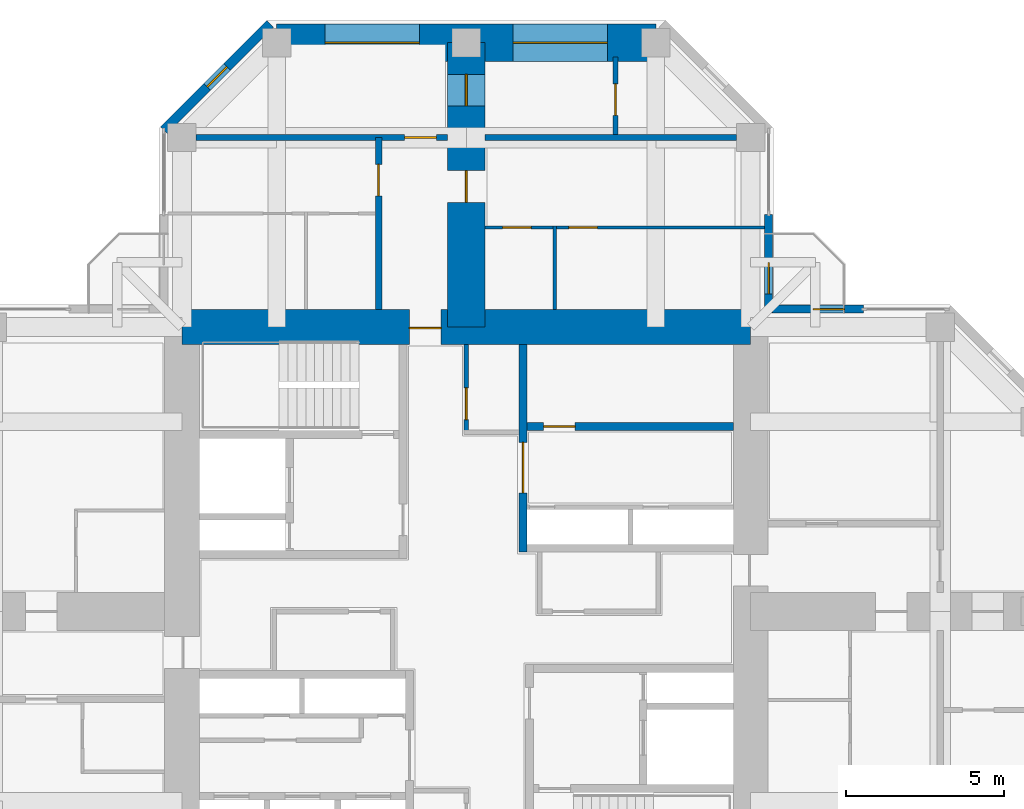
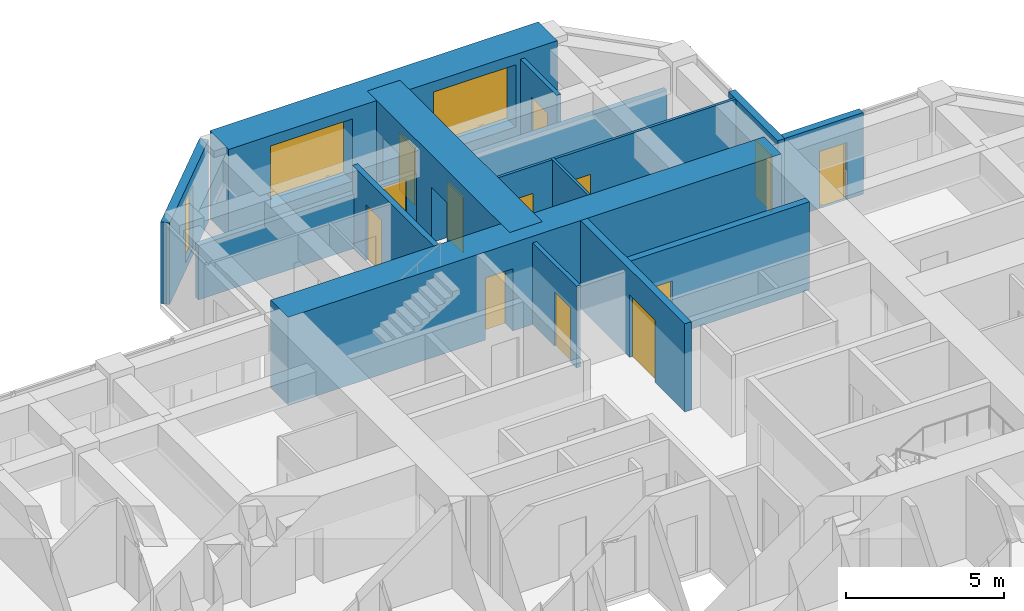
# One storey, part 12 of 14: 15 walls, 13 doors, 3 windows, 16 openings.
"""IFC4 building model written with IfcOpenShell, lengths in metres."""

from ifc_helpers import new_model, si_unit, direction, frame, frame_2d, origin, place, context, subcontext, project, spatial, rectangle, hollow_rectangle, extrude, material, layer, layer_set, constituent, constituent_set, type_object, element, fill, save


model = new_model("IFC4")

# Units and contexts
model_context = context("Model", 3, precision=1e-05, world=origin(), true_north=direction((0.0, 1.0)))
body_context = subcontext(model_context, "Body", "Model", "MODEL_VIEW")
ifc_project = project(units=[si_unit("LENGTHUNIT", "METRE"), si_unit("AREAUNIT", "SQUARE_METRE"), si_unit("VOLUMEUNIT", "CUBIC_METRE"), si_unit("PLANEANGLEUNIT", "RADIAN"), si_unit("MASSUNIT", "GRAM", prefix="KILO")], contexts=[model_context])

# Site, building, storey
site_placement = place(None, origin())
site = spatial("IfcSite", under=ifc_project, at=site_placement, CompositionType="ELEMENT")
building_placement = place(site_placement, origin())
building = spatial("IfcBuilding", under=site, at=building_placement, Name="Torre Cruceta", CompositionType="ELEMENT")
storey_placement = place(building_placement, frame((0.0, 0.0, 213.699951171875)))
storey = spatial("IfcBuildingStorey", under=building, at=storey_placement, Name="L54", CompositionType="ELEMENT", Elevation=213.699951171875)

# Wall
ifc_material_1 = material(Name="Water-resistant plasterboard on steel studs", Category="steel")
ifc_layer_1 = layer(ifc_material_1, 0.10009765625)
ifc_layer_set_1 = layer_set([ifc_layer_1], Name="Water-resistant plasterboard on steel studs")
wall_type_1 = type_object("IfcWallType", Name="BATHROOM WALL 100", PredefinedType="PARTITIONING", material=ifc_layer_set_1)
wall_1_placement = place(storey_placement, frame((2.800048828125, 9.550048828125, 0.0), z_axis=(0.0, 0.0, 1.0), x_axis=(0.0, 1.0, 0.0)))
element("IfcWall", 1, at=wall_1_placement, inside=storey, type_object=wall_type_1, Name="PT4 L54-N-U1RBB", PredefinedType="PARTITIONING", context=body_context, shape_type="SweptSolid", body=[
    extrude(rectangle(XDim=2.64990234375, YDim=0.10009765625, at=frame_2d((1.324951171875, 0.0))), origin(), (0.0, 0.0, 1.0), 3.150146484375),
])

# Wall, openings, doors
wall_2_placement = place(storey_placement, frame((9.445068359375, 12.14990234375, 0.0), z_axis=(0.0, 0.0, 1.0), x_axis=(-1.0, 0.0, 0.0)))
wall_2 = element("IfcWall", 2, at=wall_2_placement, inside=storey, type_object=wall_type_1, Name="PT4 L54-N-U1RBS", PredefinedType="PARTITIONING", context=body_context, shape_type="SweptSolid", body=[
    extrude(rectangle(XDim=8.844970703125, YDim=0.10009765625, at=frame_2d((4.42236328125, 0.0))), origin(), (0.0, 0.0, 1.0), 3.150146484375),
])
opening_1_placement = place(wall_2_placement, frame((5.294921875, 0.0, 0.0)))
opening_1 = element("IfcOpeningElement", 3, at=opening_1_placement, cuts=wall_2, Name="Opening D7", PredefinedType="OPENING", context=body_context, shape_type="SweptSolid", body=[
    extrude(rectangle(XDim=0.89990234375, YDim=2.10009765625, at=frame_2d((0.449951171875, 1.050048828125))), frame((0.0, 0.06005859375, 0.0), z_axis=(0.0, -1.0, 0.0), x_axis=(1.0, 0.0, 0.0)), (0.0, 0.0, 1.0), 0.1201171875),
])
opening_2_placement = place(wall_2_placement, frame((7.39501953125, 0.0, 0.0)))
opening_2 = element("IfcOpeningElement", 4, at=opening_2_placement, cuts=wall_2, Name="Opening D7", PredefinedType="OPENING", context=body_context, shape_type="SweptSolid", body=[
    extrude(rectangle(XDim=0.89990234375, YDim=2.10009765625, at=frame_2d((0.449951171875, 1.050048828125))), frame((0.0, 0.06005859375, 0.0), z_axis=(0.0, -1.0, 0.0), x_axis=(1.0, 0.0, 0.0)), (0.0, 0.0, 1.0), 0.1201171875),
])
ifc_material_2 = material(Name="Timber door", Category="wood")
door_type_1 = type_object("IfcDoorType", Name="BATHROOM DOOR 900X2100", OperationType="SINGLE_SWING_LEFT", PredefinedType="DOOR", material=ifc_material_2)
door_1_placement = place(opening_1_placement, origin())
door_1 = element("IfcDoor", 5, at=door_1_placement, inside=storey, type_object=door_type_1, Name="D7 L54-N-U1RBS-D1", OperationType="SINGLE_SWING_RIGHT", OverallHeight=2.10009765625, OverallWidth=0.89990234375, PredefinedType="DOOR", context=body_context, shape_type="SweptSolid", body=[
    extrude(rectangle(XDim=0.89990234375, YDim=2.10009765625, at=frame_2d((0.449951171875, 1.050048828125))), frame((0.0, 0.02490234375, 0.0), z_axis=(0.0, -1.0, 0.0), x_axis=(1.0, 0.0, 0.0)), (0.0, 0.0, 1.0), 0.050048828125),
])
fill(opening_1, door_1)
door_2_placement = place(opening_2_placement, origin())
door_2 = element("IfcDoor", 6, at=door_2_placement, inside=storey, type_object=door_type_1, Name="D7 L54-N-U1RBS-D2", OperationType="SINGLE_SWING_RIGHT", OverallHeight=2.10009765625, OverallWidth=0.89990234375, PredefinedType="DOOR", context=body_context, shape_type="SweptSolid", body=[
    extrude(rectangle(XDim=0.89990234375, YDim=2.10009765625, at=frame_2d((0.449951171875, 1.050048828125))), frame((0.0, 0.02490234375, 0.0), z_axis=(0.0, -1.0, 0.0), x_axis=(1.0, 0.0, 0.0)), (0.0, 0.0, 1.0), 0.050048828125),
])
fill(opening_2, door_2)

# Wall, opening, door
ifc_material_3 = material(Name="Concrete G60 (fck 60 MPa)", Category="concrete")
ifc_layer_2 = layer(ifc_material_3, 0.25)
ifc_layer_set_2 = layer_set([ifc_layer_2], Name="Concrete G60 (fck 60 MPa)")
wall_type_2 = type_object("IfcWallType", Name="CORE INNER WALL 250 G60", PredefinedType="SHEAR", material=ifc_layer_set_2)
wall_3_placement = place(storey_placement, frame((1.800048828125, 1.875, 0.0), z_axis=(0.0, 0.0, 1.0), x_axis=(0.0, 1.0, 0.0)))
wall_3 = element("IfcWall", 7, at=wall_3_placement, inside=storey, type_object=wall_type_2, Name="CW4 L54 NE-CU", PredefinedType="SHEAR", context=body_context, shape_type="SweptSolid", body=[
    extrude(rectangle(XDim=6.574951171875, YDim=0.25, at=frame_2d((3.28759765625, 0.0))), origin(), (0.0, 0.0, 1.0), 3.400146484375),
])
opening_3_placement = place(wall_3_placement, frame((1.875, 0.0, 0.0)))
opening_3 = element("IfcOpeningElement", 8, at=opening_3_placement, cuts=wall_3, Name="Opening D15", PredefinedType="OPENING", context=body_context, shape_type="SweptSolid", body=[
    extrude(rectangle(XDim=1.60009765625, YDim=2.39990234375, at=frame_2d((0.800048828125, 1.199951171875))), frame((0.0, 0.135009765625, 0.0), z_axis=(0.0, -1.0, 0.0), x_axis=(1.0, 0.0, 0.0)), (0.0, 0.0, 1.0), 0.27001953125),
])
ifc_material_4 = material(Name="Steel DX51D", Category="steel")
ifc_constituent_1 = constituent(ifc_material_4, Name="Leaf and frame")
ifc_material_5 = material(Name="Polyester powder coating", Category="paint")
ifc_constituent_2 = constituent(ifc_material_5, Name="Finish")
ifc_constituent_set_1 = constituent_set(constituents=[ifc_constituent_1, ifc_constituent_2], Name="Steel fire door")
door_type_2 = type_object("IfcDoorType", Name="CORE ROOM DOUBLE DOOR 1600X2400", OperationType="DOUBLE_DOOR_SINGLE_SWING", PredefinedType="DOOR", material=ifc_constituent_set_1)
door_3_placement = place(opening_3_placement, frame((1.60009765625, 0.0, 0.0), z_axis=(0.0, 0.0, 1.0), x_axis=(-1.0, 0.0, 0.0)))
door_3 = element("IfcDoor", 9, at=door_3_placement, inside=storey, type_object=door_type_2, Name="D15 L54 NE-LOBBY", OperationType="DOUBLE_DOOR_SINGLE_SWING", OverallHeight=2.39990234375, OverallWidth=1.60009765625, PredefinedType="DOOR", context=body_context, shape_type="SweptSolid", body=[
    extrude(rectangle(XDim=1.60009765625, YDim=2.39990234375, at=frame_2d((0.800048828125, 1.199951171875))), frame((0.0, 0.025146484375, 0.0), z_axis=(0.0, -1.0, 0.0), x_axis=(1.0, 0.0, 0.0)), (0.0, 0.0, 1.0), 0.050048828125),
])
fill(opening_3, door_3)

wall_4_placement = place(storey_placement, frame((1.925048828125, 5.85009765625, 0.0), z_axis=(0.0, 0.0, 1.0), x_axis=(1.0, 0.0, 0.0)))
wall_4 = element("IfcWall", 10, at=wall_4_placement, inside=storey, type_object=wall_type_2, Name="CW4 L54 NE-LV", PredefinedType="SHEAR", context=body_context, shape_type="SweptSolid", body=[
    extrude(rectangle(XDim=6.52490234375, YDim=0.25, at=frame_2d((3.262451171875, 0.0))), origin(), (0.0, 0.0, 1.0), 3.400146484375),
])
opening_4_placement = place(wall_4_placement, frame((0.520751953125, 0.0, 0.0)))
opening_4 = element("IfcOpeningElement", 11, at=opening_4_placement, cuts=wall_4, Name="Opening D3", PredefinedType="OPENING", context=body_context, shape_type="SweptSolid", body=[
    extrude(rectangle(XDim=1.0, YDim=2.10009765625, at=frame_2d((0.5, 1.050048828125))), frame((0.0, 0.135009765625, 0.0), z_axis=(0.0, -1.0, 0.0), x_axis=(1.0, 0.0, 0.0)), (0.0, 0.0, 1.0), 0.27001953125),
])
ifc_material_6 = material(Name="Steel DX51D", Category="steel")
ifc_constituent_3 = constituent(ifc_material_6, Name="Leaf and frame")
ifc_material_7 = material(Name="Polyester powder coating", Category="paint")
ifc_constituent_4 = constituent(ifc_material_7, Name="Finish")
ifc_constituent_set_2 = constituent_set(constituents=[ifc_constituent_3, ifc_constituent_4], Name="Steel fire door")
door_type_3 = type_object("IfcDoorType", Name="FIRE DOOR 1000X2100", OperationType="SINGLE_SWING_LEFT", PredefinedType="DOOR", material=ifc_constituent_set_2)
door_4_placement = place(opening_4_placement, origin())
door_4 = element("IfcDoor", 12, at=door_4_placement, inside=storey, type_object=door_type_3, Name="D3 L54 NE-HR1", OperationType="SINGLE_SWING_LEFT", OverallHeight=2.10009765625, OverallWidth=1.0, PredefinedType="DOOR", context=body_context, shape_type="SweptSolid", body=[
    extrude(rectangle(XDim=1.0, YDim=2.10009765625, at=frame_2d((0.5, 1.050048828125))), frame((0.0, 0.02490234375, 0.0), z_axis=(0.0, -1.0, 0.0), x_axis=(1.0, 0.0, 0.0)), (0.0, 0.0, 1.0), 0.050048828125),
])
fill(opening_4, door_4)

ifc_material_8 = material(Name="Concrete G60 (fck 60 MPa)", Category="concrete")
ifc_layer_3 = layer(ifc_material_8, 1.10009765625)
ifc_layer_set_3 = layer_set([ifc_layer_3], Name="Concrete G60 (fck 60 MPa)")
wall_type_3 = type_object("IfcWallType", Name="CORE WALL 1100 G60", PredefinedType="SHEAR", material=ifc_layer_set_3)
wall_5_placement = place(storey_placement, frame((9.0, 9.0, 0.0), z_axis=(0.0, 0.0, 1.0), x_axis=(-1.0, 0.0, 0.0)))
wall_5 = element("IfcWall", 13, at=wall_5_placement, inside=storey, type_object=wall_type_3, Name="CW2 L54 CW-N", PredefinedType="SHEAR", context=body_context, shape_type="SweptSolid", body=[
    extrude(rectangle(XDim=18.0, YDim=1.10009765625, at=frame_2d((9.0, 0.0))), origin(), (0.0, 0.0, 1.0), 3.400146484375),
])
opening_5_placement = place(wall_5_placement, frame((9.800048828125, 0.0, 0.0)))
opening_5 = element("IfcOpeningElement", 14, at=opening_5_placement, cuts=wall_5, Name="Opening D4", PredefinedType="OPENING", context=body_context, shape_type="SweptSolid", body=[
    extrude(rectangle(XDim=1.0, YDim=2.39990234375, at=frame_2d((0.5, 1.199951171875))), frame((0.0, 0.56005859375, 0.0), z_axis=(0.0, -1.0, 0.0), x_axis=(1.0, 0.0, 0.0)), (0.0, 0.0, 1.0), 1.1201171875),
])
ifc_material_9 = material(Name="Steel DX51D", Category="steel")
ifc_constituent_5 = constituent(ifc_material_9, Name="Leaf and frame")
ifc_material_10 = material(Name="Polyester powder coating", Category="paint")
ifc_constituent_6 = constituent(ifc_material_10, Name="Finish")
ifc_constituent_set_3 = constituent_set(constituents=[ifc_constituent_5, ifc_constituent_6], Name="Steel fire door")
door_type_4 = type_object("IfcDoorType", Name="CORE ARM DOOR 1000X2400", OperationType="SINGLE_SWING_RIGHT", PredefinedType="DOOR", material=ifc_constituent_set_3)
door_5_placement = place(opening_5_placement, origin())
door_5 = element("IfcDoor", 15, at=door_5_placement, inside=storey, type_object=door_type_4, Name="D4 L54 CW-N", OperationType="SINGLE_SWING_RIGHT", OverallHeight=2.39990234375, OverallWidth=1.0, PredefinedType="DOOR", context=body_context, shape_type="SweptSolid", body=[
    extrude(rectangle(XDim=1.0, YDim=2.39990234375, at=frame_2d((0.5, 1.199951171875))), frame((0.0, 0.05517578125, 0.0), z_axis=(0.0, -1.0, 0.0), x_axis=(1.0, 0.0, 0.0)), (0.0, 0.0, 1.0), 0.050048828125),
])
fill(opening_5, door_5)

ifc_material_11 = material(Name="Concrete G25 (fck 25 MPa)", Category="concrete")
ifc_layer_4 = layer(ifc_material_11, 0.199951171875)
ifc_layer_set_4 = layer_set([ifc_layer_4], Name="Concrete G25 (fck 25 MPa)")
wall_type_4 = type_object("IfcWallType", Name="CORRIDOR WALL 200", PredefinedType="SOLIDWALL", material=ifc_layer_set_4)
wall_6_placement = place(storey_placement, frame((-2.77490234375, 9.550048828125, 0.0), z_axis=(0.0, 0.0, 1.0), x_axis=(0.0, 1.0, 0.0)))
wall_6 = element("IfcWall", 16, at=wall_6_placement, inside=storey, type_object=wall_type_4, Name="PT3 L54-N-CL", PredefinedType="SOLIDWALL", context=body_context, shape_type="SweptSolid", body=[
    extrude(rectangle(XDim=5.449951171875, YDim=0.199951171875, at=frame_2d((2.72509765625, 0.0))), origin(), (0.0, 0.0, 1.0), 3.150146484375),
])
opening_6_placement = place(wall_6_placement, frame((3.60009765625, 0.0, 0.0)))
opening_6 = element("IfcOpeningElement", 17, at=opening_6_placement, cuts=wall_6, Name="Opening D6", PredefinedType="OPENING", context=body_context, shape_type="SweptSolid", body=[
    extrude(rectangle(XDim=1.0, YDim=2.14990234375, at=frame_2d((0.5, 1.074951171875))), frame((0.0, 0.10986328125, 0.0), z_axis=(0.0, -1.0, 0.0), x_axis=(1.0, 0.0, 0.0)), (0.0, 0.0, 1.0), 0.219970703125),
])
ifc_material_12 = material(Name="Timber fire door", Category="wood")
door_type_5 = type_object("IfcDoorType", Name="UNIT ENTRANCE DOOR 1000X2150", OperationType="SINGLE_SWING_LEFT", PredefinedType="DOOR", material=ifc_material_12)
door_6_placement = place(opening_6_placement, origin())
door_6 = element("IfcDoor", 18, at=door_6_placement, inside=storey, type_object=door_type_5, Name="D6 L54-N-CL-D1", OperationType="SINGLE_SWING_LEFT", OverallHeight=2.14990234375, OverallWidth=1.0, PredefinedType="DOOR", context=body_context, shape_type="SweptSolid", body=[
    extrude(rectangle(XDim=1.0, YDim=2.14990234375, at=frame_2d((0.5, 1.074951171875))), frame((0.0, 0.02490234375, 0.0), z_axis=(0.0, -1.0, 0.0), x_axis=(1.0, 0.0, 0.0)), (0.0, 0.0, 1.0), 0.050048828125),
])
fill(opening_6, door_6)

# Wall, opening, window
ifc_material_13 = material(Name="Concrete G30 (fck 30 MPa)", Category="concrete")
ifc_layer_5 = layer(ifc_material_13, 0.300048828125)
ifc_layer_set_5 = layer_set([ifc_layer_5], Name="Concrete G30 (fck 30 MPa)")
wall_type_5 = type_object("IfcWallType", Name="EXPOSED CONCRETE FACADE WALL 300", PredefinedType="SOLIDWALL", material=ifc_layer_set_5)
wall_7_placement = place(storey_placement, frame((-6.2060546875, 18.60009765625, 0.0), z_axis=(0.0, 0.0, 1.0), x_axis=(-0.707106781187, -0.707106781187, 0.0)))
wall_7 = element("IfcWall", 19, at=wall_7_placement, inside=storey, type_object=wall_type_5, Name="EW1 facade wall L54 N chamfer 08", PredefinedType="SOLIDWALL", context=body_context, shape_type="SweptSolid", body=[
    extrude(rectangle(XDim=4.75732421875, YDim=0.300048828125, at=frame_2d((2.378662109375, 0.0))), origin(), (0.0, 0.0, 1.0), 3.150146484375),
])
opening_7_placement = place(wall_7_placement, frame((1.9287109375, 0.0, 0.300048828125)))
opening_7 = element("IfcOpeningElement", 20, at=opening_7_placement, cuts=wall_7, Name="Opening WN5", PredefinedType="OPENING", context=body_context, shape_type="SweptSolid", body=[
    extrude(rectangle(XDim=0.89990234375, YDim=2.39990234375, at=frame_2d((0.449951171875, 1.199951171875))), frame((0.0, 0.159912109375, 0.0), z_axis=(0.0, -1.0, 0.0), x_axis=(1.0, 0.0, 0.0)), (0.0, 0.0, 1.0), 0.320068359375),
])
ifc_material_14 = material(Name="Aluminium window frame", Category="aluminium")
ifc_constituent_7 = constituent(ifc_material_14, Name="Frame")
ifc_material_15 = material(Name="Laminated insulating glass unit, low-iron clear", Category="glass")
ifc_constituent_8 = constituent(ifc_material_15, Name="Glazing")
ifc_constituent_set_4 = constituent_set(constituents=[ifc_constituent_7, ifc_constituent_8], Name="Aluminium window")
window_type_1 = type_object("IfcWindowType", Name="CHAMFER SLOT WINDOW 900X2400", PartitioningType="SINGLE_PANEL", PredefinedType="WINDOW", material=ifc_constituent_set_4)
window_1_placement = place(opening_7_placement, origin())
window_1 = element("IfcWindow", 21, at=window_1_placement, inside=storey, type_object=window_type_1, Name="WN5 L54 N 1", OverallHeight=2.39990234375, OverallWidth=0.89990234375, PartitioningType="SINGLE_PANEL", PredefinedType="WINDOW", context=body_context, shape_type="SweptSolid", body=[
    extrude(hollow_rectangle(XDim=0.89990234375, YDim=2.39990234375, WallThickness=0.06005859375, at=frame_2d((0.449951171875, 1.199951171875))), frame((0.0, 0.030029296875, 0.0), z_axis=(0.0, -1.0, 0.0), x_axis=(1.0, 0.0, 0.0)), (0.0, 0.0, 1.0), 0.06005859375),
    extrude(rectangle(XDim=0.77880859375, YDim=2.27880859375, at=frame_2d((0.449951171875, 1.199951171875))), frame((0.0, 0.030029296875, 0.0), z_axis=(0.0, -1.0, 0.0), x_axis=(1.0, 0.0, 0.0)), (0.0, 0.0, 1.0), 0.06005859375),
])
fill(opening_7, window_1)

# Wall, openings, windows
ifc_material_16 = material(Name="Concrete G60 (fck 60 MPa)", Category="concrete")
ifc_layer_6 = layer(ifc_material_16, 1.199951171875)
ifc_layer_set_6 = layer_set([ifc_layer_6], Name="Concrete G60 (fck 60 MPa)")
wall_type_6 = type_object("IfcWallType", Name="NOSE WALL 1200 G60", PredefinedType="SHEAR", material=ifc_layer_set_6)
wall_8_placement = place(storey_placement, frame((6.0, 18.0, 0.0), z_axis=(0.0, 0.0, 1.0), x_axis=(-1.0, 0.0, 0.0)))
wall_8 = element("IfcWall", 22, at=wall_8_placement, inside=storey, type_object=wall_type_6, Name="NW1 nose wall L54 N", PredefinedType="SHEAR", context=body_context, shape_type="SweptSolid", body=[
    extrude(rectangle(XDim=12.0, YDim=1.199951171875, at=frame_2d((6.0, 0.0))), origin(), (0.0, 0.0, 1.0), 3.400146484375),
])
opening_8_placement = place(wall_8_placement, frame((1.52490234375, 0.0, 0.60009765625)))
opening_8 = element("IfcOpeningElement", 23, at=opening_8_placement, cuts=wall_8, Name="Opening WN6", PredefinedType="OPENING", context=body_context, shape_type="SweptSolid", body=[
    extrude(rectangle(XDim=3.0, YDim=2.39990234375, at=frame_2d((1.5, 1.199951171875))), frame((0.0, 0.60986328125, 0.0), z_axis=(0.0, -1.0, 0.0), x_axis=(1.0, 0.0, 0.0)), (0.0, 0.0, 1.0), 1.219970703125),
])
opening_9_placement = place(wall_8_placement, frame((7.47509765625, 0.0, 0.60009765625)))
opening_9 = element("IfcOpeningElement", 24, at=opening_9_placement, cuts=wall_8, Name="Opening WN6", PredefinedType="OPENING", context=body_context, shape_type="SweptSolid", body=[
    extrude(rectangle(XDim=3.0, YDim=2.39990234375, at=frame_2d((1.5, 1.199951171875))), frame((0.0, 0.60986328125, 0.0), z_axis=(0.0, -1.0, 0.0), x_axis=(1.0, 0.0, 0.0)), (0.0, 0.0, 1.0), 1.219970703125),
])
ifc_material_17 = material(Name="Aluminium window frame", Category="aluminium")
ifc_constituent_9 = constituent(ifc_material_17, Name="Frame")
ifc_material_18 = material(Name="Laminated insulating glass unit, low-iron clear", Category="glass")
ifc_constituent_10 = constituent(ifc_material_18, Name="Glazing")
ifc_constituent_set_5 = constituent_set(constituents=[ifc_constituent_9, ifc_constituent_10], Name="Aluminium window")
window_type_2 = type_object("IfcWindowType", Name="NOSE WALL WINDOW 3000X2400", PartitioningType="SINGLE_PANEL", PredefinedType="WINDOW", material=ifc_constituent_set_5)
window_2_placement = place(opening_8_placement, origin())
window_2 = element("IfcWindow", 25, at=window_2_placement, inside=storey, type_object=window_type_2, Name="WN6 L54 N 1", OverallHeight=2.39990234375, OverallWidth=3.0, PartitioningType="SINGLE_PANEL", PredefinedType="WINDOW", context=body_context, shape_type="SweptSolid", body=[
    extrude(hollow_rectangle(XDim=3.0, YDim=2.39990234375, WallThickness=0.06005859375, at=frame_2d((1.5, 1.199951171875))), frame((0.0, 0.030029296875, 0.0), z_axis=(0.0, -1.0, 0.0), x_axis=(1.0, 0.0, 0.0)), (0.0, 0.0, 1.0), 0.06005859375),
    extrude(rectangle(XDim=2.87890625, YDim=2.27880859375, at=frame_2d((1.5, 1.199951171875))), frame((0.0, 0.030029296875, 0.0), z_axis=(0.0, -1.0, 0.0), x_axis=(1.0, 0.0, 0.0)), (0.0, 0.0, 1.0), 0.06005859375),
])
fill(opening_8, window_2)
window_3_placement = place(opening_9_placement, origin())
window_3 = element("IfcWindow", 26, at=window_3_placement, inside=storey, type_object=window_type_2, Name="WN6 L54 N 2", OverallHeight=2.39990234375, OverallWidth=3.0, PartitioningType="SINGLE_PANEL", PredefinedType="WINDOW", context=body_context, shape_type="SweptSolid", body=[
    extrude(hollow_rectangle(XDim=3.0, YDim=2.39990234375, WallThickness=0.06005859375, at=frame_2d((1.5, 1.199951171875))), frame((0.0, 0.030029296875, 0.0), z_axis=(0.0, -1.0, 0.0), x_axis=(1.0, 0.0, 0.0)), (0.0, 0.0, 1.0), 0.06005859375),
    extrude(rectangle(XDim=2.87890625, YDim=2.27880859375, at=frame_2d((1.5, 1.199951171875))), frame((0.0, 0.030029296875, 0.0), z_axis=(0.0, -1.0, 0.0), x_axis=(1.0, 0.0, 0.0)), (0.0, 0.0, 1.0), 0.06005859375),
])
fill(opening_9, window_3)

# Wall, opening, door
ifc_material_19 = material(Name="Plasterboard on steel studs", Category="steel")
ifc_layer_7 = layer(ifc_material_19, 0.14990234375)
ifc_layer_set_7 = layer_set([ifc_layer_7], Name="Plasterboard on steel studs")
wall_type_7 = type_object("IfcWallType", Name="PARTITION 150", PredefinedType="PARTITIONING", material=ifc_layer_set_7)
wall_9_placement = place(storey_placement, frame((0.0, 5.675048828125, 0.0), z_axis=(0.0, 0.0, 1.0), x_axis=(0.0, 1.0, 0.0)))
wall_9 = element("IfcWall", 27, at=wall_9_placement, inside=storey, type_object=wall_type_7, Name="PT1 L54-CORE-LEGN-E-W1", PredefinedType="PARTITIONING", context=body_context, shape_type="SweptSolid", body=[
    extrude(rectangle(XDim=2.77490234375, YDim=0.14990234375, at=frame_2d((1.387451171875, 0.0))), origin(), (0.0, 0.0, 1.0), 3.150146484375),
])
opening_10_placement = place(wall_9_placement, frame((0.39990234375, 0.0, 0.0)))
opening_10 = element("IfcOpeningElement", 28, at=opening_10_placement, cuts=wall_9, Name="Opening D3", PredefinedType="OPENING", context=body_context, shape_type="SweptSolid", body=[
    extrude(rectangle(XDim=1.0, YDim=2.10009765625, at=frame_2d((0.5, 1.050048828125))), frame((0.0, 0.0849609375, 0.0), z_axis=(0.0, -1.0, 0.0), x_axis=(1.0, 0.0, 0.0)), (0.0, 0.0, 1.0), 0.169921875),
])
door_7_placement = place(opening_10_placement, frame((1.0, 0.0, 0.0), z_axis=(0.0, 0.0, 1.0), x_axis=(-1.0, 0.0, 0.0)))
door_7 = element("IfcDoor", 29, at=door_7_placement, inside=storey, type_object=door_type_3, Name="D3 L54-CORE-LEGN-E-W1-D1", OperationType="SINGLE_SWING_RIGHT", OverallHeight=2.10009765625, OverallWidth=1.0, PredefinedType="DOOR", context=body_context, shape_type="SweptSolid", body=[
    extrude(rectangle(XDim=1.0, YDim=2.10009765625, at=frame_2d((0.5, 1.050048828125))), frame((0.0, 0.025146484375, 0.0), z_axis=(0.0, -1.0, 0.0), x_axis=(1.0, 0.0, 0.0)), (0.0, 0.0, 1.0), 0.050048828125),
])
fill(opening_10, door_7)

wall_10_placement = place(storey_placement, frame((4.72509765625, 15.10009765625, 0.0), z_axis=(0.0, 0.0, 1.0), x_axis=(0.0, 1.0, 0.0)))
wall_10 = element("IfcWall", 30, at=wall_10_placement, inside=storey, type_object=wall_type_7, Name="PT1 L54-N-END2X", PredefinedType="PARTITIONING", context=body_context, shape_type="SweptSolid", body=[
    extrude(rectangle(XDim=2.449951171875, YDim=0.14990234375, at=frame_2d((1.22509765625, 0.0))), origin(), (0.0, 0.0, 1.0), 3.150146484375),
])
opening_11_placement = place(wall_10_placement, frame((0.60009765625, 0.0, 0.0)))
opening_11 = element("IfcOpeningElement", 31, at=opening_11_placement, cuts=wall_10, Name="Opening D3", PredefinedType="OPENING", context=body_context, shape_type="SweptSolid", body=[
    extrude(rectangle(XDim=1.0, YDim=2.10009765625, at=frame_2d((0.5, 1.050048828125))), frame((0.0, 0.0849609375, 0.0), z_axis=(0.0, -1.0, 0.0), x_axis=(1.0, 0.0, 0.0)), (0.0, 0.0, 1.0), 0.169921875),
])
door_8_placement = place(opening_11_placement, frame((1.0, 0.0, 0.0), z_axis=(0.0, 0.0, 1.0), x_axis=(-1.0, 0.0, 0.0)))
door_8 = element("IfcDoor", 32, at=door_8_placement, inside=storey, type_object=door_type_3, Name="D3 L54-N-END2X-D1", OperationType="SINGLE_SWING_RIGHT", OverallHeight=2.10009765625, OverallWidth=1.0, PredefinedType="DOOR", context=body_context, shape_type="SweptSolid", body=[
    extrude(rectangle(XDim=1.0, YDim=2.10009765625, at=frame_2d((0.5, 1.050048828125))), frame((0.0, 0.025146484375, 0.0), z_axis=(0.0, -1.0, 0.0), x_axis=(1.0, 0.0, 0.0)), (0.0, 0.0, 1.0), 0.050048828125),
])
fill(opening_11, door_8)

# Wall, openings, doors
ifc_material_20 = material(Name="Concrete G60 (fck 60 MPa)", Category="concrete")
ifc_layer_8 = layer(ifc_material_20, 1.199951171875)
ifc_layer_set_8 = layer_set([ifc_layer_8], Name="Concrete G60 (fck 60 MPa)")
wall_type_8 = type_object("IfcWallType", Name="SPINE WALL 1200 G60", PredefinedType="SHEAR", material=ifc_layer_set_8)
wall_11_placement = place(storey_placement, frame((0.0, 9.0, 0.0), z_axis=(0.0, 0.0, 1.0), x_axis=(0.0, 1.0, 0.0)))
wall_11 = element("IfcWall", 33, at=wall_11_placement, inside=storey, type_object=wall_type_8, Name="SW3 spine wall L54 N", PredefinedType="SHEAR", context=body_context, shape_type="SweptSolid", body=[
    extrude(rectangle(XDim=9.0, YDim=1.199951171875, at=frame_2d((4.5, 0.0))), origin(), (0.0, 0.0, 1.0), 3.400146484375),
])
opening_12_placement = place(wall_11_placement, frame((3.949951171875, 0.0, 0.0)))
opening_12 = element("IfcOpeningElement", 34, at=opening_12_placement, cuts=wall_11, Name="Opening D6", PredefinedType="OPENING", context=body_context, shape_type="SweptSolid", body=[
    extrude(rectangle(XDim=1.0, YDim=2.14990234375, at=frame_2d((0.5, 1.074951171875))), frame((0.0, 0.60986328125, 0.0), z_axis=(0.0, -1.0, 0.0), x_axis=(1.0, 0.0, 0.0)), (0.0, 0.0, 1.0), 1.219970703125),
])
opening_13_placement = place(wall_11_placement, frame((7.0, 0.0, 0.0)))
opening_13 = element("IfcOpeningElement", 35, at=opening_13_placement, cuts=wall_11, Name="Opening D14", PredefinedType="OPENING", context=body_context, shape_type="SweptSolid", body=[
    extrude(rectangle(XDim=1.0, YDim=2.199951171875, at=frame_2d((0.5, 1.10009765625))), frame((0.0, 0.60986328125, 0.0), z_axis=(0.0, -1.0, 0.0), x_axis=(1.0, 0.0, 0.0)), (0.0, 0.0, 1.0), 1.219970703125),
])
ifc_material_21 = material(Name="Steel DX51D", Category="steel")
ifc_constituent_11 = constituent(ifc_material_21, Name="Leaf and frame")
ifc_material_22 = material(Name="Polyester powder coating", Category="paint")
ifc_constituent_12 = constituent(ifc_material_22, Name="Finish")
ifc_material_23 = material(Name="Fire-resisting glass", Category="glass")
ifc_constituent_13 = constituent(ifc_material_23, Name="Vision panel")
ifc_constituent_set_6 = constituent_set(constituents=[ifc_constituent_11, ifc_constituent_12, ifc_constituent_13], Name="Steel fire door with vision panel")
door_type_6 = type_object("IfcDoorType", Name="FIRE DOOR VISION PANEL 1000X2200", OperationType="SINGLE_SWING_RIGHT", PredefinedType="DOOR", material=ifc_constituent_set_6)
door_9_placement = place(opening_13_placement, frame((1.0, 0.0, 0.0), z_axis=(0.0, 0.0, 1.0), x_axis=(-1.0, 0.0, 0.0)))
door_9 = element("IfcDoor", 36, at=door_9_placement, inside=storey, type_object=door_type_6, Name="D14 L54-N-SP2", OperationType="SINGLE_SWING_LEFT", OverallHeight=2.199951171875, OverallWidth=1.0, PredefinedType="DOOR", context=body_context, shape_type="SweptSolid", body=[
    extrude(rectangle(XDim=1.0, YDim=2.199951171875, at=frame_2d((0.5, 1.10009765625))), frame((0.0, 0.025146484375, 0.0), z_axis=(0.0, -1.0, 0.0), x_axis=(1.0, 0.0, 0.0)), (0.0, 0.0, 1.0), 0.050048828125),
])
fill(opening_13, door_9)
door_10_placement = place(opening_12_placement, frame((1.0, 0.0, 0.0), z_axis=(0.0, 0.0, 1.0), x_axis=(-1.0, 0.0, 0.0)))
door_10 = element("IfcDoor", 37, at=door_10_placement, inside=storey, type_object=door_type_5, Name="D6 L54-N-SP1", OperationType="SINGLE_SWING_RIGHT", OverallHeight=2.14990234375, OverallWidth=1.0, PredefinedType="DOOR", context=body_context, shape_type="SweptSolid", body=[
    extrude(rectangle(XDim=1.0, YDim=2.14990234375, at=frame_2d((0.5, 1.074951171875))), frame((0.0, 0.025146484375, 0.0), z_axis=(0.0, -1.0, 0.0), x_axis=(1.0, 0.0, 0.0)), (0.0, 0.0, 1.0), 0.050048828125),
])
fill(opening_12, door_10)

# Wall
ifc_material_24 = material(Name="Concrete G25 (fck 25 MPa)", Category="concrete")
ifc_layer_9 = layer(ifc_material_24, 0.199951171875)
ifc_layer_set_9 = layer_set([ifc_layer_9], Name="Concrete G25 (fck 25 MPa)")
wall_type_9 = type_object("IfcWallType", Name="UNIT SEPARATING WALL 200", PredefinedType="SOLIDWALL", material=ifc_layer_set_9)
wall_12_placement = place(storey_placement, frame((8.550048828125, 15.0, 0.0), z_axis=(0.0, 0.0, 1.0), x_axis=(-1.0, 0.0, 0.0)))
element("IfcWall", 38, at=wall_12_placement, inside=storey, type_object=wall_type_9, Name="PT2 L54-N-ENDa", PredefinedType="SOLIDWALL", context=body_context, shape_type="SweptSolid", body=[
    extrude(rectangle(XDim=7.949951171875, YDim=0.199951171875, at=frame_2d((3.97509765625, 0.0))), origin(), (0.0, 0.0, 1.0), 2.10009765625),
])

# Wall, opening, door
wall_13_placement = place(storey_placement, frame((-0.60009765625, 15.0, 0.0), z_axis=(0.0, 0.0, 1.0), x_axis=(-1.0, 0.0, 0.0)))
wall_13 = element("IfcWall", 39, at=wall_13_placement, inside=storey, type_object=wall_type_9, Name="PT2 L54-N-ENDb", PredefinedType="SOLIDWALL", context=body_context, shape_type="SweptSolid", body=[
    extrude(rectangle(XDim=7.949951171875, YDim=0.199951171875, at=frame_2d((3.97509765625, 0.0))), origin(), (0.0, 0.0, 1.0), 2.10009765625),
])
opening_14_placement = place(wall_13_placement, frame((0.35009765625, 0.0, 0.0)))
opening_14 = element("IfcOpeningElement", 40, at=opening_14_placement, cuts=wall_13, Name="Opening D16", PredefinedType="OPENING", context=body_context, shape_type="SweptSolid", body=[
    extrude(rectangle(XDim=1.0, YDim=2.0, at=frame_2d((0.5, 1.0))), frame((0.0, 0.10986328125, 0.0), z_axis=(0.0, -1.0, 0.0), x_axis=(1.0, 0.0, 0.0)), (0.0, 0.0, 1.0), 0.219970703125),
])
ifc_material_25 = material(Name="Steel DX51D", Category="steel")
ifc_constituent_14 = constituent(ifc_material_25, Name="Leaf and frame")
ifc_material_26 = material(Name="Polyester powder coating", Category="paint")
ifc_constituent_15 = constituent(ifc_material_26, Name="Finish")
ifc_material_27 = material(Name="Fire-resisting glass", Category="glass")
ifc_constituent_16 = constituent(ifc_material_27, Name="Vision panel")
ifc_constituent_set_7 = constituent_set(constituents=[ifc_constituent_14, ifc_constituent_15, ifc_constituent_16], Name="Steel fire door with vision panel")
door_type_7 = type_object("IfcDoorType", Name="FIRE DOOR VISION PANEL 1000X2000", OperationType="SINGLE_SWING_RIGHT", PredefinedType="DOOR", material=ifc_constituent_set_7)
door_11_placement = place(opening_14_placement, frame((1.0, 0.0, 0.0), z_axis=(0.0, 0.0, 1.0), x_axis=(-1.0, 0.0, 0.0)))
door_11 = element("IfcDoor", 41, at=door_11_placement, inside=storey, type_object=door_type_7, Name="D16 L54-N-ENDb-D1", OperationType="SINGLE_SWING_RIGHT", OverallHeight=2.0, OverallWidth=1.0, PredefinedType="DOOR", context=body_context, shape_type="SweptSolid", body=[
    extrude(rectangle(XDim=1.0, YDim=2.0, at=frame_2d((0.5, 1.0))), frame((0.0, 0.025146484375, 0.0), z_axis=(0.0, -1.0, 0.0), x_axis=(1.0, 0.0, 0.0)), (0.0, 0.0, 1.0), 0.050048828125),
])
fill(opening_14, door_11)

ifc_material_28 = material(Name="Concrete G30 (fck 30 MPa)", Category="concrete")
ifc_layer_10 = layer(ifc_material_28, 0.25)
ifc_layer_set_10 = layer_set([ifc_layer_10], Name="Concrete G30 (fck 30 MPa)")
wall_type_10 = type_object("IfcWallType", Name="WINTER GARDEN WALL 250", PredefinedType="SOLIDWALL", material=ifc_layer_set_10)
wall_14_placement = place(storey_placement, frame((12.570068359375, 9.570068359375, 0.0), z_axis=(0.0, 0.0, 1.0), x_axis=(-1.0, 0.0, 0.0)))
wall_14 = element("IfcWall", 42, at=wall_14_placement, inside=storey, type_object=wall_type_10, Name="EW2 winter garden wall L54 04", PredefinedType="SOLIDWALL", context=body_context, shape_type="SweptSolid", body=[
    extrude(rectangle(XDim=2.875, YDim=0.25, at=frame_2d((1.4375, 0.0))), origin(), (0.0, 0.0, 1.0), 3.150146484375),
])
opening_15_placement = place(wall_14_placement, frame((0.60009765625, 0.0, 0.0)))
opening_15 = element("IfcOpeningElement", 43, at=opening_15_placement, cuts=wall_14, Name="Opening D10", PredefinedType="OPENING", context=body_context, shape_type="SweptSolid", body=[
    extrude(rectangle(XDim=1.0, YDim=2.199951171875, at=frame_2d((0.5, 1.10009765625))), frame((0.0, 0.135009765625, 0.0), z_axis=(0.0, -1.0, 0.0), x_axis=(1.0, 0.0, 0.0)), (0.0, 0.0, 1.0), 0.27001953125),
])
ifc_material_29 = material(Name="Aluminium door frame", Category="aluminium")
ifc_constituent_17 = constituent(ifc_material_29, Name="Frame")
ifc_material_30 = material(Name="Laminated safety glass", Category="glass")
ifc_constituent_18 = constituent(ifc_material_30, Name="Glazing")
ifc_constituent_set_8 = constituent_set(constituents=[ifc_constituent_17, ifc_constituent_18], Name="Aluminium glazed door")
door_type_8 = type_object("IfcDoorType", Name="BALCONY DOOR 1000X2200", OperationType="SINGLE_SWING_RIGHT", PredefinedType="DOOR", material=ifc_constituent_set_8)
door_12_placement = place(opening_15_placement, origin())
door_12 = element("IfcDoor", 44, at=door_12_placement, inside=storey, type_object=door_type_8, Name="D10 balcony door L54 04", OperationType="SINGLE_SWING_RIGHT", OverallHeight=2.199951171875, OverallWidth=1.0, PredefinedType="DOOR", context=body_context, shape_type="SweptSolid", body=[
    extrude(hollow_rectangle(XDim=1.0, YDim=2.199951171875, WallThickness=0.06005859375, at=frame_2d((0.5, 1.10009765625))), frame((0.0, 0.02490234375, 0.0), z_axis=(0.0, -1.0, 0.0), x_axis=(1.0, 0.0, 0.0)), (0.0, 0.0, 1.0), 0.050048828125),
    extrude(rectangle(XDim=0.87890625, YDim=2.078857421875, at=frame_2d((0.5, 1.10009765625))), frame((0.0, 0.02490234375, 0.0), z_axis=(0.0, -1.0, 0.0), x_axis=(1.0, 0.0, 0.0)), (0.0, 0.0, 1.0), 0.050048828125),
])
fill(opening_15, door_12)

wall_15_placement = place(storey_placement, frame((9.570068359375, 9.445068359375, 0.0), z_axis=(0.0, 0.0, 1.0), x_axis=(0.0, 1.0, 0.0)))
wall_15 = element("IfcWall", 45, at=wall_15_placement, inside=storey, type_object=wall_type_10, Name="EW2 winter garden wall L54 05", PredefinedType="SOLIDWALL", context=body_context, shape_type="SweptSolid", body=[
    extrude(rectangle(XDim=3.125, YDim=0.25, at=frame_2d((1.5625, 0.0))), origin(), (0.0, 0.0, 1.0), 3.150146484375),
])
opening_16_placement = place(wall_15_placement, frame((0.60009765625, 0.0, 0.0)))
opening_16 = element("IfcOpeningElement", 46, at=opening_16_placement, cuts=wall_15, Name="Opening D10", PredefinedType="OPENING", context=body_context, shape_type="SweptSolid", body=[
    extrude(rectangle(XDim=1.0, YDim=2.199951171875, at=frame_2d((0.5, 1.10009765625))), frame((0.0, 0.135009765625, 0.0), z_axis=(0.0, -1.0, 0.0), x_axis=(1.0, 0.0, 0.0)), (0.0, 0.0, 1.0), 0.27001953125),
])
door_13_placement = place(opening_16_placement, origin())
door_13 = element("IfcDoor", 47, at=door_13_placement, inside=storey, type_object=door_type_8, Name="D10 balcony door L54 05", OperationType="SINGLE_SWING_LEFT", OverallHeight=2.199951171875, OverallWidth=1.0, PredefinedType="DOOR", context=body_context, shape_type="SweptSolid", body=[
    extrude(hollow_rectangle(XDim=1.0, YDim=2.199951171875, WallThickness=0.06005859375, at=frame_2d((0.5, 1.10009765625))), frame((0.0, 0.02490234375, 0.0), z_axis=(0.0, -1.0, 0.0), x_axis=(1.0, 0.0, 0.0)), (0.0, 0.0, 1.0), 0.050048828125),
    extrude(rectangle(XDim=0.87890625, YDim=2.078857421875, at=frame_2d((0.5, 1.10009765625))), frame((0.0, 0.02490234375, 0.0), z_axis=(0.0, -1.0, 0.0), x_axis=(1.0, 0.0, 0.0)), (0.0, 0.0, 1.0), 0.050048828125),
])
fill(opening_16, door_13)

save(model, "model.ifc")
